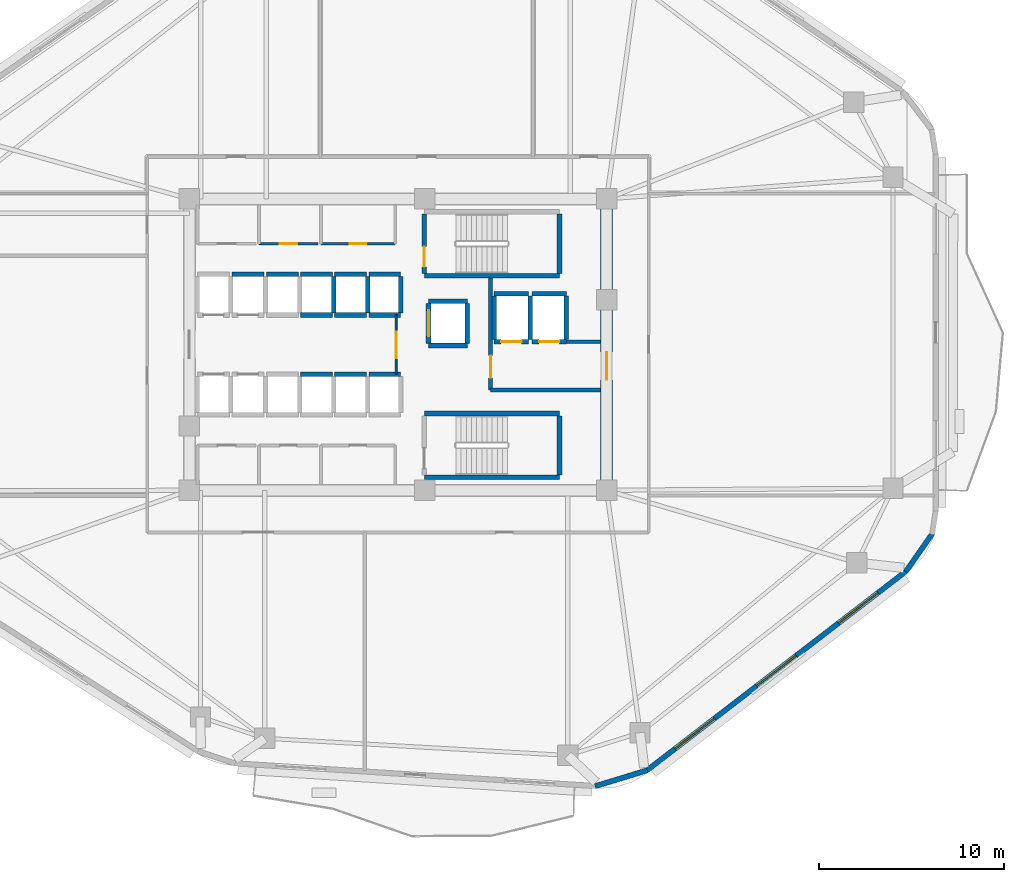
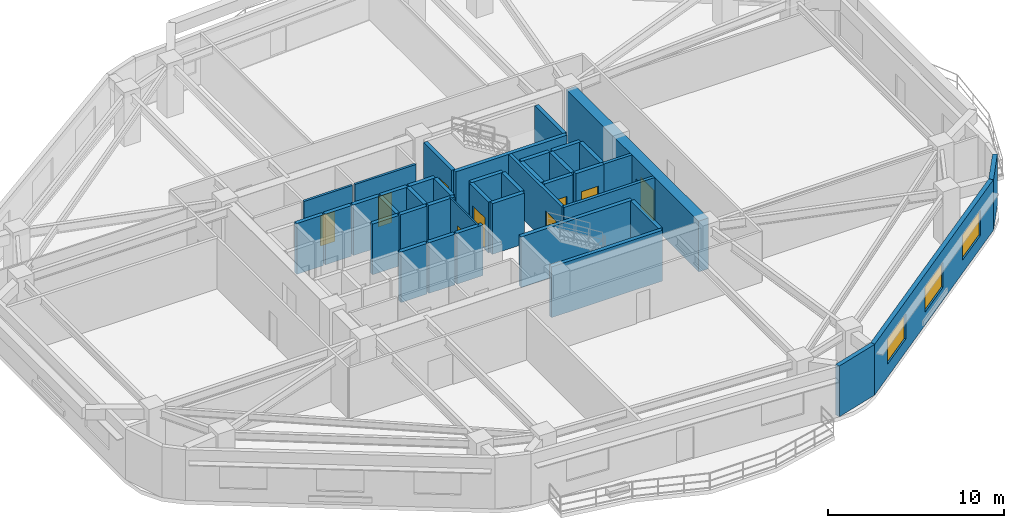
# One storey, part 4 of 9: 41 walls, 9 doors, 3 windows, 12 openings.
"""IFC4 building model written with IfcOpenShell, lengths in metres."""

from ifc_helpers import new_model, si_unit, direction, frame, frame_2d, origin, place, context, subcontext, project, spatial, rectangle, extrude, material, layer, layer_set, type_object, element, fill, save


model = new_model("IFC4")

# Units and contexts
model_context = context("Model", 3, precision=1e-05, world=origin(), true_north=direction((0.0, 1.0)))
body_context = subcontext(model_context, "Body", "Model", "MODEL_VIEW")
ifc_project = project(units=[si_unit("LENGTHUNIT", "METRE"), si_unit("AREAUNIT", "SQUARE_METRE"), si_unit("VOLUMEUNIT", "CUBIC_METRE"), si_unit("PLANEANGLEUNIT", "RADIAN"), si_unit("MASSUNIT", "GRAM", prefix="KILO")], contexts=[model_context])

# Site, building, storey
site_placement = place(None, origin())
site = spatial("IfcSite", under=ifc_project, at=site_placement, CompositionType="ELEMENT")
building_placement = place(site_placement, origin())
building = spatial("IfcBuilding", under=site, at=building_placement, Name="Zulverin Broadcast Headquarters", CompositionType="ELEMENT")
storey_placement = place(building_placement, frame((0.0, 0.0, 112.39990234375)))
storey = spatial("IfcBuildingStorey", under=building, at=storey_placement, Name="L28", CompositionType="ELEMENT", Elevation=112.39990234375)

# Wall, opening, door
ifc_material_1 = material(Name="Concrete C60/75", Category="concrete")
ifc_layer_1 = layer(ifc_material_1, 0.64990234375, Name="Concrete C60/75", Category="concrete")
ifc_layer_set_1 = layer_set([ifc_layer_1], Name="Concrete C60/75")
wall_type_1 = type_object("IfcWallType", Name="WL-CORE-650", PredefinedType="SHEAR", material=ifc_layer_set_1)
wall_1_placement = place(storey_placement, frame((48.27490234375, 17.64990234375, 0.0), z_axis=(0.0, 0.0, 1.0), x_axis=(0.0, 1.0, 0.0)))
wall_1 = element("IfcWall", 1, at=wall_1_placement, inside=storey, type_object=wall_type_1, Name="L28 Core East Shear Wall", PredefinedType="SHEAR", context=body_context, shape_type="SweptSolid", body=[
    extrude(rectangle(XDim=15.10009765625, YDim=0.64990234375, at=frame_2d((7.550048828125, 0.0))), origin(), (0.0, 0.0, 1.0), 3.525146484375),
])
opening_1_placement = place(wall_1_placement, frame((5.64990234375, 0.0, 0.0)))
opening_1 = element("IfcOpeningElement", 2, at=opening_1_placement, cuts=wall_1, Name="Opening D-L28-CE1", PredefinedType="OPENING", context=body_context, shape_type="SweptSolid", body=[
    extrude(rectangle(XDim=1.5, YDim=2.14990234375, at=frame_2d((0.75, 1.074951171875))), frame((0.0, 0.3349609375, 0.0), z_axis=(0.0, -1.0, 0.0), x_axis=(1.0, 0.0, 0.0)), (0.0, 0.0, 1.0), 0.669921875),
])
ifc_material_2 = material(Name="Fire-rated glazed steel frame", Category="steel")
door_type_1 = type_object("IfcDoorType", Name="DR-COR-1500", OperationType="DOUBLE_DOOR_SINGLE_SWING", PredefinedType="DOOR", material=ifc_material_2)
door_1_placement = place(opening_1_placement, origin())
door_1 = element("IfcDoor", 3, at=door_1_placement, inside=storey, type_object=door_type_1, Name="L28 Firefighting Lobby East Corridor Door", OperationType="DOUBLE_DOOR_SINGLE_SWING", OverallHeight=2.14990234375, OverallWidth=1.5, PredefinedType="DOOR", context=body_context, shape_type="SweptSolid", body=[
    extrude(rectangle(XDim=1.5, YDim=2.14990234375, at=frame_2d((0.75, 1.074951171875))), frame((0.0, 0.02490234375, 0.0), z_axis=(0.0, -1.0, 0.0), x_axis=(1.0, 0.0, 0.0)), (0.0, 0.0, 1.0), 0.050048828125),
])
fill(opening_1, door_1)

# Wall, openings, windows
ifc_material_3 = material(Name="Insulated pale-metal clad concrete spandrel C40/50", Category="concrete")
ifc_layer_2 = layer(ifc_material_3, 0.280029296875, Name="Insulated pale-metal clad concrete spandrel C40/50", Category="concrete")
ifc_layer_set_2 = layer_set([ifc_layer_2], Name="Insulated pale-metal clad concrete spandrel C40/50")
wall_type_2 = type_object("IfcWallType", Name="WL-EXT-280", PredefinedType="STANDARD", material=ifc_layer_set_2)
wall_2_placement = place(storey_placement, frame((50.4287109375, 2.171630859375, 0.0), z_axis=(0.0, 0.0, 1.0), x_axis=(0.792937466367, 0.609303023488, 0.0)))
wall_2 = element("IfcWall", 4, at=wall_2_placement, inside=storey, type_object=wall_type_2, Name="L28 Pale-Metal Clad Spandrel Wall 2", PredefinedType="STANDARD", context=body_context, shape_type="SweptSolid", body=[
    extrude(rectangle(XDim=17.712890625, YDim=0.280029296875, at=frame_2d((8.8564453125, 0.0))), origin(), (0.0, 0.0, 1.0), 3.525146484375),
])
opening_2_placement = place(wall_2_placement, frame((1.935546875, 0.0, 0.89990234375)))
opening_2 = element("IfcOpeningElement", 5, at=opening_2_placement, cuts=wall_2, Name="Opening W-L28-E21", PredefinedType="OPENING", context=body_context, shape_type="SweptSolid", body=[
    extrude(rectangle(XDim=2.699951171875, YDim=1.75, at=frame_2d((1.35009765625, 0.875))), frame((0.0, 0.14990234375, 0.0), z_axis=(0.0, -1.0, 0.0), x_axis=(1.0, 0.0, 0.0)), (0.0, 0.0, 1.0), 0.300048828125),
])
opening_3_placement = place(wall_2_placement, frame((7.50634765625, 0.0, 0.89990234375)))
opening_3 = element("IfcOpeningElement", 6, at=opening_3_placement, cuts=wall_2, Name="Opening W-L28-E22", PredefinedType="OPENING", context=body_context, shape_type="SweptSolid", body=[
    extrude(rectangle(XDim=2.699951171875, YDim=1.75, at=frame_2d((1.35009765625, 0.875))), frame((0.0, 0.14990234375, 0.0), z_axis=(0.0, -1.0, 0.0), x_axis=(1.0, 0.0, 0.0)), (0.0, 0.0, 1.0), 0.300048828125),
])
opening_4_placement = place(wall_2_placement, frame((13.077392578125, 0.0, 0.89990234375)))
opening_4 = element("IfcOpeningElement", 7, at=opening_4_placement, cuts=wall_2, Name="Opening W-L28-E23", PredefinedType="OPENING", context=body_context, shape_type="SweptSolid", body=[
    extrude(rectangle(XDim=2.699951171875, YDim=1.75, at=frame_2d((1.35009765625, 0.875))), frame((0.0, 0.14990234375, 0.0), z_axis=(0.0, -1.0, 0.0), x_axis=(1.0, 0.0, 0.0)), (0.0, 0.0, 1.0), 0.300048828125),
])
ifc_material_4 = material(Name="Pale anodized aluminium frame with solar-control low-E double glazing", Category="aluminium")
window_type = type_object("IfcWindowType", Name="WIN-TWR-2700", PartitioningType="SINGLE_PANEL", PredefinedType="WINDOW", material=ifc_material_4)
window_1_placement = place(opening_2_placement, origin())
window_1 = element("IfcWindow", 8, at=window_1_placement, inside=storey, type_object=window_type, Name="L28 Ribbon Glazing Window 2 1", OverallHeight=1.75, OverallWidth=2.699951171875, PartitioningType="SINGLE_PANEL", PredefinedType="WINDOW", context=body_context, shape_type="SweptSolid", body=[
    extrude(rectangle(XDim=2.699951171875, YDim=1.75, at=frame_2d((1.35009765625, 0.875))), frame((0.0, 0.030029296875, 0.0), z_axis=(0.0, -1.0, 0.0), x_axis=(1.0, 0.0, 0.0)), (0.0, 0.0, 1.0), 0.06005859375),
])
fill(opening_2, window_1)
window_2_placement = place(opening_3_placement, origin())
window_2 = element("IfcWindow", 9, at=window_2_placement, inside=storey, type_object=window_type, Name="L28 Ribbon Glazing Window 2 2", OverallHeight=1.75, OverallWidth=2.699951171875, PartitioningType="SINGLE_PANEL", PredefinedType="WINDOW", context=body_context, shape_type="SweptSolid", body=[
    extrude(rectangle(XDim=2.699951171875, YDim=1.75, at=frame_2d((1.35009765625, 0.875))), frame((0.0, 0.030029296875, 0.0), z_axis=(0.0, -1.0, 0.0), x_axis=(1.0, 0.0, 0.0)), (0.0, 0.0, 1.0), 0.06005859375),
])
fill(opening_3, window_2)
window_3_placement = place(opening_4_placement, origin())
window_3 = element("IfcWindow", 10, at=window_3_placement, inside=storey, type_object=window_type, Name="L28 Ribbon Glazing Window 2 3", OverallHeight=1.75, OverallWidth=2.699951171875, PartitioningType="SINGLE_PANEL", PredefinedType="WINDOW", context=body_context, shape_type="SweptSolid", body=[
    extrude(rectangle(XDim=2.699951171875, YDim=1.75, at=frame_2d((1.35009765625, 0.875))), frame((0.0, 0.030029296875, 0.0), z_axis=(0.0, -1.0, 0.0), x_axis=(1.0, 0.0, 0.0)), (0.0, 0.0, 1.0), 0.06005859375),
])
fill(opening_4, window_3)

# Walls
wall_3_placement = place(storey_placement, frame((47.649658203125, 1.3330078125, 0.0), z_axis=(0.0, 0.0, 1.0), x_axis=(0.956461287977, 0.291859220516, 0.0)))
element("IfcWall", 11, at=wall_3_placement, inside=storey, type_object=wall_type_2, Name="L28 Wind-Shaped Corner Spandrel Wall 1-1", PredefinedType="STANDARD", context=body_context, shape_type="SweptSolid", body=[
    extrude(rectangle(XDim=2.951904296875, YDim=0.280029296875, at=frame_2d((1.47607421875, 0.0))), origin(), (0.0, 0.0, 1.0), 3.525146484375),
])
wall_4_placement = place(storey_placement, frame((64.4443359375, 12.933349609375, 0.0), z_axis=(0.0, 0.0, 1.0), x_axis=(0.573176686443, 0.819431806875, 0.0)))
element("IfcWall", 12, at=wall_4_placement, inside=storey, type_object=wall_type_2, Name="L28 Wind-Shaped Corner Spandrel Wall 2-1", PredefinedType="STANDARD", context=body_context, shape_type="SweptSolid", body=[
    extrude(rectangle(XDim=2.524169921875, YDim=0.280029296875, at=frame_2d((1.26220703125, 0.0))), origin(), (0.0, 0.0, 1.0), 3.525146484375),
])

# Wall, opening, door
ifc_material_5 = material(Name="Concrete C40/50", Category="concrete")
ifc_layer_3 = layer(ifc_material_5, 0.199951171875, Name="Concrete C40/50", Category="concrete")
ifc_layer_set_3 = layer_set([ifc_layer_3], Name="Concrete C40/50")
wall_type_3 = type_object("IfcWallType", Name="WL-FFL-200", PredefinedType="SOLIDWALL", material=ifc_layer_set_3)
wall_5_placement = place(storey_placement, frame((42.0, 22.75, 0.0), z_axis=(0.0, 0.0, 1.0), x_axis=(0.0, 1.0, 0.0)))
wall_5 = element("IfcWall", 13, at=wall_5_placement, inside=storey, type_object=wall_type_3, Name="L28 Firefighting Lift Lobby West Wall", PredefinedType="SOLIDWALL", context=body_context, shape_type="SweptSolid", body=[
    extrude(rectangle(XDim=6.050048828125, YDim=0.199951171875, at=frame_2d((3.02490234375, 0.0))), origin(), (0.0, 0.0, 1.0), 3.525146484375),
])
opening_5_placement = place(wall_5_placement, frame((0.64990234375, 0.0, 0.0)))
opening_5 = element("IfcOpeningElement", 14, at=opening_5_placement, cuts=wall_5, Name="Opening D-L28-FFLW", PredefinedType="OPENING", context=body_context, shape_type="SweptSolid", body=[
    extrude(rectangle(XDim=1.199951171875, YDim=2.14990234375, at=frame_2d((0.60009765625, 1.074951171875))), frame((0.0, 0.10986328125, 0.0), z_axis=(0.0, -1.0, 0.0), x_axis=(1.0, 0.0, 0.0)), (0.0, 0.0, 1.0), 0.219970703125),
])
ifc_material_6 = material(Name="Fire-rated steel leaf and frame", Category="steel")
door_type_2 = type_object("IfcDoorType", Name="DR-FFL-1200", OperationType="SINGLE_SWING_RIGHT", PredefinedType="DOOR", material=ifc_material_6)
door_2_placement = place(opening_5_placement, origin())
door_2 = element("IfcDoor", 15, at=door_2_placement, inside=storey, type_object=door_type_2, Name="L28 Firefighting Lift Lobby Door", OperationType="SINGLE_SWING_RIGHT", OverallHeight=2.14990234375, OverallWidth=1.199951171875, PredefinedType="DOOR", context=body_context, shape_type="SweptSolid", body=[
    extrude(rectangle(XDim=1.199951171875, YDim=2.14990234375, at=frame_2d((0.60009765625, 1.074951171875))), frame((0.0, 0.02490234375, 0.0), z_axis=(0.0, -1.0, 0.0), x_axis=(1.0, 0.0, 0.0)), (0.0, 0.0, 1.0), 0.050048828125),
])
fill(opening_5, door_2)

# Walls
wall_6_placement = place(storey_placement, frame((42.0, 22.75, 0.0), z_axis=(0.0, 0.0, 1.0), x_axis=(1.0, 0.0, 0.0)))
element("IfcWall", 16, at=wall_6_placement, inside=storey, type_object=wall_type_3, Name="L28 Firefighting Lift Lobby South Wall", PredefinedType="SOLIDWALL", context=body_context, shape_type="SweptSolid", body=[
    extrude(rectangle(XDim=5.949951171875, YDim=0.199951171875, at=frame_2d((2.97509765625, 0.0))), origin(), (0.0, 0.0, 1.0), 3.525146484375),
])
wall_7_placement = place(storey_placement, frame((46.10009765625, 25.35009765625, 0.0), z_axis=(0.0, 0.0, 1.0), x_axis=(1.0, 0.0, 0.0)))
element("IfcWall", 17, at=wall_7_placement, inside=storey, type_object=wall_type_3, Name="L28 Firefighting Lift Lobby North Wall", PredefinedType="SOLIDWALL", context=body_context, shape_type="SweptSolid", body=[
    extrude(rectangle(XDim=1.849853515625, YDim=0.199951171875, at=frame_2d((0.9248046875, 0.0))), origin(), (0.0, 0.0, 1.0), 3.525146484375),
])

# Wall, opening, door
ifc_material_7 = material(Name="Fire-rated acoustic laminated glass screen", Category="glass")
ifc_layer_4 = layer(ifc_material_7, 0.10009765625, Name="Fire-rated acoustic laminated glass screen", Category="glass")
ifc_layer_set_4 = layer_set([ifc_layer_4], Name="Fire-rated acoustic laminated glass screen")
wall_type_4 = type_object("IfcWallType", Name="WL-GLAZ-100", PredefinedType="PARTITIONING", material=ifc_layer_set_4)
wall_8_placement = place(storey_placement, frame((36.89990234375, 23.60009765625, 0.0), z_axis=(0.0, 0.0, 1.0), x_axis=(0.0, 1.0, 0.0)))
wall_8 = element("IfcWall", 18, at=wall_8_placement, inside=storey, type_object=wall_type_4, Name="L28 Core Goods & Stair Hall Screen", PredefinedType="PARTITIONING", context=body_context, shape_type="SweptSolid", body=[
    extrude(rectangle(XDim=3.199951171875, YDim=0.10009765625, at=frame_2d((1.60009765625, 0.0))), origin(), (0.0, 0.0, 1.0), 3.525146484375),
])
opening_6_placement = place(wall_8_placement, frame((0.85009765625, 0.0, 0.0)))
opening_6 = element("IfcOpeningElement", 19, at=opening_6_placement, cuts=wall_8, Name="Opening D-L28-CL3", PredefinedType="OPENING", context=body_context, shape_type="SweptSolid", body=[
    extrude(rectangle(XDim=1.449951171875, YDim=2.1201171875, at=frame_2d((0.72509765625, 1.06005859375))), frame((0.0, 0.06005859375, 0.0), z_axis=(0.0, -1.0, 0.0), x_axis=(1.0, 0.0, 0.0)), (0.0, 0.0, 1.0), 0.1201171875),
])
ifc_material_8 = material(Name="Fire-rated acoustic glazed double leaf", Category="glass")
door_type_3 = type_object("IfcDoorType", Name="DR-GLZ-1450", OperationType="DOUBLE_DOOR_SINGLE_SWING", PredefinedType="DOOR", material=ifc_material_8)
door_3_placement = place(opening_6_placement, origin())
door_3 = element("IfcDoor", 20, at=door_3_placement, inside=storey, type_object=door_type_3, Name="L28 Core Goods & Stair Hall Door", OperationType="DOUBLE_DOOR_SINGLE_SWING", OverallHeight=2.1201171875, OverallWidth=1.449951171875, PredefinedType="DOOR", context=body_context, shape_type="SweptSolid", body=[
    extrude(rectangle(XDim=1.449951171875, YDim=2.1201171875, at=frame_2d((0.72509765625, 1.06005859375))), frame((0.0, 0.02490234375, 0.0), z_axis=(0.0, -1.0, 0.0), x_axis=(1.0, 0.0, 0.0)), (0.0, 0.0, 1.0), 0.050048828125),
])
fill(opening_6, door_3)

ifc_material_9 = material(Name="Fire-rated gypsum stud partition", Category="gypsum")
ifc_layer_5 = layer(ifc_material_9, 0.14990234375, Name="Fire-rated gypsum stud partition", Category="gypsum")
ifc_layer_set_5 = layer_set([ifc_layer_5], Name="Fire-rated gypsum stud partition")
wall_type_5 = type_object("IfcWallType", Name="WL-PART-150", PredefinedType="PARTITIONING", material=ifc_layer_set_5)
wall_9_placement = place(storey_placement, frame((29.47998046875, 30.64990234375, 0.0), z_axis=(0.0, 0.0, 1.0), x_axis=(1.0, 0.0, 0.0)))
wall_9 = element("IfcWall", 21, at=wall_9_placement, inside=storey, type_object=wall_type_5, Name="L28 Core Accessible WC Front Wall", PredefinedType="PARTITIONING", context=body_context, shape_type="SweptSolid", body=[
    extrude(rectangle(XDim=3.18994140625, YDim=0.14990234375, at=frame_2d((1.594970703125, 0.0))), origin(), (0.0, 0.0, 1.0), 3.525146484375),
])
opening_7_placement = place(wall_9_placement, frame((1.1201171875, 0.0, 0.0)))
opening_7 = element("IfcOpeningElement", 22, at=opening_7_placement, cuts=wall_9, Name="Opening D-L28-NC2", PredefinedType="OPENING", context=body_context, shape_type="SweptSolid", body=[
    extrude(rectangle(XDim=0.949951171875, YDim=2.10009765625, at=frame_2d((0.47509765625, 1.050048828125))), frame((0.0, 0.0849609375, 0.0), z_axis=(0.0, -1.0, 0.0), x_axis=(1.0, 0.0, 0.0)), (0.0, 0.0, 1.0), 0.169921875),
])
ifc_material_10 = material(Name="Fire-rated moisture-resistant laminate leaf", Category="wood")
door_type_4 = type_object("IfcDoorType", Name="DR-WC-950", OperationType="SINGLE_SWING_LEFT", PredefinedType="DOOR", material=ifc_material_10)
door_4_placement = place(opening_7_placement, origin())
door_4 = element("IfcDoor", 23, at=door_4_placement, inside=storey, type_object=door_type_4, Name="L28 Accessible WC Door", OperationType="SINGLE_SWING_RIGHT", OverallHeight=2.10009765625, OverallWidth=0.949951171875, PredefinedType="DOOR", context=body_context, shape_type="SweptSolid", body=[
    extrude(rectangle(XDim=0.949951171875, YDim=2.10009765625, at=frame_2d((0.47509765625, 1.050048828125))), frame((0.0, 0.02490234375, 0.0), z_axis=(0.0, -1.0, 0.0), x_axis=(1.0, 0.0, 0.0)), (0.0, 0.0, 1.0), 0.050048828125),
])
fill(opening_7, door_4)

wall_10_placement = place(storey_placement, frame((32.830078125, 30.64990234375, 0.0), z_axis=(0.0, 0.0, 1.0), x_axis=(1.0, 0.0, 0.0)))
wall_10 = element("IfcWall", 24, at=wall_10_placement, inside=storey, type_object=wall_type_5, Name="L28 Core Electrical Distribution Riser Front Wall", PredefinedType="PARTITIONING", context=body_context, shape_type="SweptSolid", body=[
    extrude(rectangle(XDim=4.02001953125, YDim=0.14990234375, at=frame_2d((2.010009765625, 0.0))), origin(), (0.0, 0.0, 1.0), 3.525146484375),
])
opening_8_placement = place(wall_10_placement, frame((1.56005859375, 0.0, 0.0)))
opening_8 = element("IfcOpeningElement", 25, at=opening_8_placement, cuts=wall_10, Name="Opening D-L28-NC3", PredefinedType="OPENING", context=body_context, shape_type="SweptSolid", body=[
    extrude(rectangle(XDim=0.89990234375, YDim=2.10009765625, at=frame_2d((0.449951171875, 1.050048828125))), frame((0.0, 0.0849609375, 0.0), z_axis=(0.0, -1.0, 0.0), x_axis=(1.0, 0.0, 0.0)), (0.0, 0.0, 1.0), 0.169921875),
])
ifc_material_11 = material(Name="Powder-coated steel access leaf", Category="steel")
door_type_5 = type_object("IfcDoorType", Name="DR-RISER-900", OperationType="SINGLE_SWING_LEFT", PredefinedType="DOOR", material=ifc_material_11)
door_5_placement = place(opening_8_placement, origin())
door_5 = element("IfcDoor", 26, at=door_5_placement, inside=storey, type_object=door_type_5, Name="L28 Electrical Distribution Riser Door", OperationType="SINGLE_SWING_LEFT", OverallHeight=2.10009765625, OverallWidth=0.89990234375, PredefinedType="DOOR", context=body_context, shape_type="SweptSolid", body=[
    extrude(rectangle(XDim=0.89990234375, YDim=2.10009765625, at=frame_2d((0.449951171875, 1.050048828125))), frame((0.0, 0.02490234375, 0.0), z_axis=(0.0, -1.0, 0.0), x_axis=(1.0, 0.0, 0.0)), (0.0, 0.0, 1.0), 0.050048828125),
])
fill(opening_8, door_5)

# Wall
ifc_material_12 = material(Name="Concrete C50/60", Category="concrete")
ifc_layer_6 = layer(ifc_material_12, 0.25, Name="Concrete C50/60", Category="concrete")
ifc_layer_set_6 = layer_set([ifc_layer_6], Name="Concrete C50/60")
wall_type_6 = type_object("IfcWallType", Name="WL-SHAFT-250", PredefinedType="SHEAR", material=ifc_layer_set_6)
wall_11_placement = place(storey_placement, frame((38.425048828125, 28.925048828125, 0.0), z_axis=(0.0, 0.0, 1.0), x_axis=(1.0, 0.0, 0.0)))
element("IfcWall", 27, at=wall_11_placement, inside=storey, type_object=wall_type_6, Name="L28 ST-1 Enclosure Wall S", PredefinedType="SHEAR", context=body_context, shape_type="SweptSolid", body=[
    extrude(rectangle(XDim=7.300048828125, YDim=0.25, at=frame_2d((3.64990234375, 0.0))), origin(), (0.0, 0.0, 1.0), 3.525146484375),
])

# Wall, opening, door
wall_12_placement = place(storey_placement, frame((38.425048828125, 29.050048828125, 0.0), z_axis=(0.0, 0.0, 1.0), x_axis=(0.0, 1.0, 0.0)))
wall_12 = element("IfcWall", 28, at=wall_12_placement, inside=storey, type_object=wall_type_6, Name="L28 ST-1 Enclosure Wall W", PredefinedType="SHEAR", context=body_context, shape_type="SweptSolid", body=[
    extrude(rectangle(XDim=3.199951171875, YDim=0.25, at=frame_2d((1.60009765625, 0.0))), origin(), (0.0, 0.0, 1.0), 3.525146484375),
])
opening_9_placement = place(wall_12_placement, frame((0.35009765625, 0.0, 0.0)))
opening_9 = element("IfcOpeningElement", 29, at=opening_9_placement, cuts=wall_12, Name="Opening D-L28-ST-1", PredefinedType="OPENING", context=body_context, shape_type="SweptSolid", body=[
    extrude(rectangle(XDim=1.10009765625, YDim=2.14990234375, at=frame_2d((0.550048828125, 1.074951171875))), frame((0.0, 0.135009765625, 0.0), z_axis=(0.0, -1.0, 0.0), x_axis=(1.0, 0.0, 0.0)), (0.0, 0.0, 1.0), 0.27001953125),
])
door_type_6 = type_object("IfcDoorType", Name="DR-STAIR-1100", OperationType="SINGLE_SWING_LEFT", PredefinedType="DOOR", material=ifc_material_6)
door_6_placement = place(opening_9_placement, origin())
door_6 = element("IfcDoor", 30, at=door_6_placement, inside=storey, type_object=door_type_6, Name="L28 Exit Stair ST-1 Fire Door", OperationType="SINGLE_SWING_LEFT", OverallHeight=2.14990234375, OverallWidth=1.10009765625, PredefinedType="DOOR", context=body_context, shape_type="SweptSolid", body=[
    extrude(rectangle(XDim=1.10009765625, YDim=2.14990234375, at=frame_2d((0.550048828125, 1.074951171875))), frame((0.0, 0.02490234375, 0.0), z_axis=(0.0, -1.0, 0.0), x_axis=(1.0, 0.0, 0.0)), (0.0, 0.0, 1.0), 0.050048828125),
])
fill(opening_9, door_6)

# Walls
wall_13_placement = place(storey_placement, frame((45.72509765625, 29.050048828125, 0.0), z_axis=(0.0, 0.0, 1.0), x_axis=(0.0, 1.0, 0.0)))
element("IfcWall", 31, at=wall_13_placement, inside=storey, type_object=wall_type_6, Name="L28 ST-1 Enclosure Wall E", PredefinedType="SHEAR", context=body_context, shape_type="SweptSolid", body=[
    extrude(rectangle(XDim=3.199951171875, YDim=0.25, at=frame_2d((1.60009765625, 0.0))), origin(), (0.0, 0.0, 1.0), 3.525146484375),
])
for number, where, z_axis, x_axis, name in (
    (32, (38.425048828125, 18.02490234375, 0.0), (0.0, 0.0, 1.0), (1.0, 0.0, 0.0), "L28 ST-2 Enclosure Wall S"),
    (33, (38.425048828125, 21.47509765625, 0.0), (0.0, 0.0, 1.0), (1.0, 0.0, 0.0), "L28 ST-2 Enclosure Wall N"),
):
    element("IfcWall", number, at=place(storey_placement, frame(where, z_axis=z_axis, x_axis=x_axis)), inside=storey, type_object=wall_type_6, Name=name, PredefinedType="SHEAR", context=body_context, shape_type="SweptSolid", body=[
        extrude(rectangle(XDim=7.300048828125, YDim=0.25, at=frame_2d((3.64990234375, 0.0))), origin(), (0.0, 0.0, 1.0), 3.525146484375),
    ])
wall_14_placement = place(storey_placement, frame((45.72509765625, 18.14990234375, 0.0), z_axis=(0.0, 0.0, 1.0), x_axis=(0.0, 1.0, 0.0)))
element("IfcWall", 34, at=wall_14_placement, inside=storey, type_object=wall_type_6, Name="L28 ST-2 Enclosure Wall E", PredefinedType="SHEAR", context=body_context, shape_type="SweptSolid", body=[
    extrude(rectangle(XDim=3.2001953125, YDim=0.25, at=frame_2d((1.60009765625, 0.0))), origin(), (0.0, 0.0, 1.0), 3.525146484375),
])
wall_15_placement = place(storey_placement, frame((28.02001953125, 29.0, 0.0), z_axis=(0.0, 0.0, 1.0), x_axis=(1.0, 0.0, 0.0)))
element("IfcWall", 35, at=wall_15_placement, inside=storey, type_object=wall_type_6, Name="L28 Lift PL-L2 Shaft Wall N", PredefinedType="SHEAR", context=body_context, shape_type="SweptSolid", body=[
    extrude(rectangle(XDim=1.75, YDim=0.25, at=frame_2d((0.875, 0.0))), origin(), (0.0, 0.0, 1.0), 3.525146484375),
])
for number, where, z_axis, x_axis, name in (
    (36, (31.739990234375, 23.60009765625, 0.0), (0.0, 0.0, 1.0), (1.0, 0.0, 0.0), "L28 Lift PL-M2 Shaft Wall N"),
    (37, (33.580078125, 23.60009765625, 0.0), (0.0, 0.0, 1.0), (1.0, 0.0, 0.0), "L28 Lift PL-M3 Shaft Wall N"),
    (38, (35.419921875, 23.60009765625, 0.0), (0.0, 0.0, 1.0), (1.0, 0.0, 0.0), "L28 Lift PL-M4 Shaft Wall N"),
):
    element("IfcWall", number, at=place(storey_placement, frame(where, z_axis=z_axis, x_axis=x_axis)), inside=storey, type_object=wall_type_6, Name=name, PredefinedType="SHEAR", context=body_context, shape_type="SweptSolid", body=[
        extrude(rectangle(XDim=1.719970703125, YDim=0.25, at=frame_2d((0.85986328125, 0.0))), origin(), (0.0, 0.0, 1.0), 3.525146484375),
    ])
wall_16_placement = place(storey_placement, frame((29.89990234375, 29.0, 0.0), z_axis=(0.0, 0.0, 1.0), x_axis=(1.0, 0.0, 0.0)))
element("IfcWall", 39, at=wall_16_placement, inside=storey, type_object=wall_type_6, Name="L28 Lift PL-H1 Shaft Wall N", PredefinedType="SHEAR", context=body_context, shape_type="SweptSolid", body=[
    extrude(rectangle(XDim=1.72021484375, YDim=0.25, at=frame_2d((0.860107421875, 0.0))), origin(), (0.0, 0.0, 1.0), 3.525146484375),
])
for number, where, z_axis, x_axis, name in (
    (40, (31.739990234375, 26.800048828125, 0.0), (0.0, 0.0, 1.0), (1.0, 0.0, 0.0), "L28 Lift PL-H2 Shaft Wall S"),
    (41, (31.739990234375, 29.0, 0.0), (0.0, 0.0, 1.0), (1.0, 0.0, 0.0), "L28 Lift PL-H2 Shaft Wall N"),
):
    element("IfcWall", number, at=place(storey_placement, frame(where, z_axis=z_axis, x_axis=x_axis)), inside=storey, type_object=wall_type_6, Name=name, PredefinedType="SHEAR", context=body_context, shape_type="SweptSolid", body=[
        extrude(rectangle(XDim=1.719970703125, YDim=0.25, at=frame_2d((0.85986328125, 0.0))), origin(), (0.0, 0.0, 1.0), 3.525146484375),
    ])
wall_17_placement = place(storey_placement, frame((33.52001953125, 26.919921875, 0.0), z_axis=(0.0, 0.0, 1.0), x_axis=(0.0, 1.0, 0.0)))
element("IfcWall", 42, at=wall_17_placement, inside=storey, type_object=wall_type_6, Name="L28 Lift PL-H2 Shaft Wall E", PredefinedType="SHEAR", context=body_context, shape_type="SweptSolid", body=[
    extrude(rectangle(XDim=1.9599609375, YDim=0.25, at=frame_2d((0.97998046875, 0.0))), origin(), (0.0, 0.0, 1.0), 3.525146484375),
])
for number, where, z_axis, x_axis, name in (
    (43, (33.580078125, 26.800048828125, 0.0), (0.0, 0.0, 1.0), (1.0, 0.0, 0.0), "L28 Lift PL-H3 Shaft Wall S"),
    (44, (33.580078125, 29.0, 0.0), (0.0, 0.0, 1.0), (1.0, 0.0, 0.0), "L28 Lift PL-H3 Shaft Wall N"),
):
    element("IfcWall", number, at=place(storey_placement, frame(where, z_axis=z_axis, x_axis=x_axis)), inside=storey, type_object=wall_type_6, Name=name, PredefinedType="SHEAR", context=body_context, shape_type="SweptSolid", body=[
        extrude(rectangle(XDim=1.719970703125, YDim=0.25, at=frame_2d((0.85986328125, 0.0))), origin(), (0.0, 0.0, 1.0), 3.525146484375),
    ])
wall_18_placement = place(storey_placement, frame((35.360107421875, 26.919921875, 0.0), z_axis=(0.0, 0.0, 1.0), x_axis=(0.0, 1.0, 0.0)))
element("IfcWall", 45, at=wall_18_placement, inside=storey, type_object=wall_type_6, Name="L28 Lift PL-H3 Shaft Wall E", PredefinedType="SHEAR", context=body_context, shape_type="SweptSolid", body=[
    extrude(rectangle(XDim=1.9599609375, YDim=0.25, at=frame_2d((0.97998046875, 0.0))), origin(), (0.0, 0.0, 1.0), 3.525146484375),
])
for number, where, z_axis, x_axis, name in (
    (46, (35.419921875, 26.800048828125, 0.0), (0.0, 0.0, 1.0), (1.0, 0.0, 0.0), "L28 Lift PL-H4 Shaft Wall S"),
    (47, (35.419921875, 29.0, 0.0), (0.0, 0.0, 1.0), (1.0, 0.0, 0.0), "L28 Lift PL-H4 Shaft Wall N"),
):
    element("IfcWall", number, at=place(storey_placement, frame(where, z_axis=z_axis, x_axis=x_axis)), inside=storey, type_object=wall_type_6, Name=name, PredefinedType="SHEAR", context=body_context, shape_type="SweptSolid", body=[
        extrude(rectangle(XDim=1.719970703125, YDim=0.25, at=frame_2d((0.85986328125, 0.0))), origin(), (0.0, 0.0, 1.0), 3.525146484375),
    ])
wall_19_placement = place(storey_placement, frame((37.139892578125, 26.919921875, 0.0), z_axis=(0.0, 0.0, 1.0), x_axis=(0.0, 1.0, 0.0)))
element("IfcWall", 48, at=wall_19_placement, inside=storey, type_object=wall_type_6, Name="L28 Lift PL-H4 Shaft Wall E", PredefinedType="SHEAR", context=body_context, shape_type="SweptSolid", body=[
    extrude(rectangle(XDim=1.9599609375, YDim=0.25, at=frame_2d((0.97998046875, 0.0))), origin(), (0.0, 0.0, 1.0), 3.525146484375),
])

# Wall, opening, door
wall_20_placement = place(storey_placement, frame((42.199951171875, 25.35009765625, 0.0), z_axis=(0.0, 0.0, 1.0), x_axis=(1.0, 0.0, 0.0)))
wall_20 = element("IfcWall", 49, at=wall_20_placement, inside=storey, type_object=wall_type_6, Name="L28 Lift FFL-1 Shaft Wall S", PredefinedType="SHEAR", context=body_context, shape_type="SweptSolid", body=[
    extrude(rectangle(XDim=1.85009765625, YDim=0.25, at=frame_2d((0.925048828125, 0.0))), origin(), (0.0, 0.0, 1.0), 3.525146484375),
])
opening_10_placement = place(wall_20_placement, frame((0.375, 0.0, 0.0)))
opening_10 = element("IfcOpeningElement", 50, at=opening_10_placement, cuts=wall_20, Name="Opening LD-FFL-1-L28", PredefinedType="OPENING", context=body_context, shape_type="SweptSolid", body=[
    extrude(rectangle(XDim=1.10009765625, YDim=2.14990234375, at=frame_2d((0.550048828125, 1.074951171875))), frame((0.0, 0.135009765625, 0.0), z_axis=(0.0, -1.0, 0.0), x_axis=(1.0, 0.0, 0.0)), (0.0, 0.0, 1.0), 0.27001953125),
])
ifc_material_13 = material(Name="Fire-rated stainless landing door", Category="steel")
door_type_7 = type_object("IfcDoorType", Name="LD-FFL-1100", OperationType="DOUBLE_DOOR_SLIDING", PredefinedType="DOOR", material=ifc_material_13)
door_7_placement = place(opening_10_placement, origin())
door_7 = element("IfcDoor", 51, at=door_7_placement, inside=storey, type_object=door_type_7, Name="L28 Lift FFL-1 Sliding Landing Door", OperationType="DOUBLE_DOOR_SLIDING", OverallHeight=2.14990234375, OverallWidth=1.10009765625, PredefinedType="DOOR", context=body_context, shape_type="SweptSolid", body=[
    extrude(rectangle(XDim=1.10009765625, YDim=2.14990234375, at=frame_2d((0.550048828125, 1.074951171875))), frame((0.0, 0.02490234375, 0.0), z_axis=(0.0, -1.0, 0.0), x_axis=(1.0, 0.0, 0.0)), (0.0, 0.0, 1.0), 0.050048828125),
])
fill(opening_10, door_7)

# Walls
wall_21_placement = place(storey_placement, frame((42.199951171875, 27.949951171875, 0.0), z_axis=(0.0, 0.0, 1.0), x_axis=(1.0, 0.0, 0.0)))
element("IfcWall", 52, at=wall_21_placement, inside=storey, type_object=wall_type_6, Name="L28 Lift FFL-1 Shaft Wall N", PredefinedType="SHEAR", context=body_context, shape_type="SweptSolid", body=[
    extrude(rectangle(XDim=1.85009765625, YDim=0.25, at=frame_2d((0.925048828125, 0.0))), origin(), (0.0, 0.0, 1.0), 3.525146484375),
])
for number, where, z_axis, x_axis, name in (
    (53, (42.199951171875, 25.469970703125, 0.0), (0.0, 0.0, 1.0), (0.0, 1.0, 0.0), "L28 Lift FFL-1 Shaft Wall W"),
    (54, (44.14990234375, 25.469970703125, 0.0), (0.0, 0.0, 1.0), (0.0, 1.0, 0.0), "L28 Lift FFL-1 Shaft Wall E"),
):
    element("IfcWall", number, at=place(storey_placement, frame(where, z_axis=z_axis, x_axis=x_axis)), inside=storey, type_object=wall_type_6, Name=name, PredefinedType="SHEAR", context=body_context, shape_type="SweptSolid", body=[
        extrude(rectangle(XDim=2.360107421875, YDim=0.25, at=frame_2d((1.18017578125, 0.0))), origin(), (0.0, 0.0, 1.0), 3.525146484375),
    ])

# Wall, opening, door
wall_22_placement = place(storey_placement, frame((44.25, 25.35009765625, 0.0), z_axis=(0.0, 0.0, 1.0), x_axis=(1.0, 0.0, 0.0)))
wall_22 = element("IfcWall", 55, at=wall_22_placement, inside=storey, type_object=wall_type_6, Name="L28 Lift FFL-2 Shaft Wall S", PredefinedType="SHEAR", context=body_context, shape_type="SweptSolid", body=[
    extrude(rectangle(XDim=1.85009765625, YDim=0.25, at=frame_2d((0.925048828125, 0.0))), origin(), (0.0, 0.0, 1.0), 3.525146484375),
])
opening_11_placement = place(wall_22_placement, frame((0.375, 0.0, 0.0)))
opening_11 = element("IfcOpeningElement", 56, at=opening_11_placement, cuts=wall_22, Name="Opening LD-FFL-2-L28", PredefinedType="OPENING", context=body_context, shape_type="SweptSolid", body=[
    extrude(rectangle(XDim=1.10009765625, YDim=2.14990234375, at=frame_2d((0.550048828125, 1.074951171875))), frame((0.0, 0.135009765625, 0.0), z_axis=(0.0, -1.0, 0.0), x_axis=(1.0, 0.0, 0.0)), (0.0, 0.0, 1.0), 0.27001953125),
])
door_8_placement = place(opening_11_placement, origin())
door_8 = element("IfcDoor", 57, at=door_8_placement, inside=storey, type_object=door_type_7, Name="L28 Lift FFL-2 Sliding Landing Door", OperationType="DOUBLE_DOOR_SLIDING", OverallHeight=2.14990234375, OverallWidth=1.10009765625, PredefinedType="DOOR", context=body_context, shape_type="SweptSolid", body=[
    extrude(rectangle(XDim=1.10009765625, YDim=2.14990234375, at=frame_2d((0.550048828125, 1.074951171875))), frame((0.0, 0.02490234375, 0.0), z_axis=(0.0, -1.0, 0.0), x_axis=(1.0, 0.0, 0.0)), (0.0, 0.0, 1.0), 0.050048828125),
])
fill(opening_11, door_8)

# Walls
wall_23_placement = place(storey_placement, frame((44.25, 27.949951171875, 0.0), z_axis=(0.0, 0.0, 1.0), x_axis=(1.0, 0.0, 0.0)))
element("IfcWall", 58, at=wall_23_placement, inside=storey, type_object=wall_type_6, Name="L28 Lift FFL-2 Shaft Wall N", PredefinedType="SHEAR", context=body_context, shape_type="SweptSolid", body=[
    extrude(rectangle(XDim=1.85009765625, YDim=0.25, at=frame_2d((0.925048828125, 0.0))), origin(), (0.0, 0.0, 1.0), 3.525146484375),
])
wall_24_placement = place(storey_placement, frame((46.10009765625, 25.469970703125, 0.0), z_axis=(0.0, 0.0, 1.0), x_axis=(0.0, 1.0, 0.0)))
element("IfcWall", 59, at=wall_24_placement, inside=storey, type_object=wall_type_6, Name="L28 Lift FFL-2 Shaft Wall E", PredefinedType="SHEAR", context=body_context, shape_type="SweptSolid", body=[
    extrude(rectangle(XDim=2.360107421875, YDim=0.25, at=frame_2d((1.18017578125, 0.0))), origin(), (0.0, 0.0, 1.0), 3.525146484375),
])
for number, where, z_axis, x_axis, name in (
    (60, (38.64990234375, 25.14990234375, 0.0), (0.0, 0.0, 1.0), (1.0, 0.0, 0.0), "L28 Lift SVL-1 Shaft Wall S"),
    (61, (38.64990234375, 27.550048828125, 0.0), (0.0, 0.0, 1.0), (1.0, 0.0, 0.0), "L28 Lift SVL-1 Shaft Wall N"),
):
    element("IfcWall", number, at=place(storey_placement, frame(where, z_axis=z_axis, x_axis=x_axis)), inside=storey, type_object=wall_type_6, Name=name, PredefinedType="SHEAR", context=body_context, shape_type="SweptSolid", body=[
        extrude(rectangle(XDim=2.10009765625, YDim=0.25, at=frame_2d((1.050048828125, 0.0))), origin(), (0.0, 0.0, 1.0), 3.525146484375),
    ])

# Wall, opening, door
wall_25_placement = place(storey_placement, frame((38.64990234375, 25.27001953125, 0.0), z_axis=(0.0, 0.0, 1.0), x_axis=(0.0, 1.0, 0.0)))
wall_25 = element("IfcWall", 62, at=wall_25_placement, inside=storey, type_object=wall_type_6, Name="L28 Lift SVL-1 Shaft Wall W", PredefinedType="SHEAR", context=body_context, shape_type="SweptSolid", body=[
    extrude(rectangle(XDim=2.159912109375, YDim=0.25, at=frame_2d((1.080078125, 0.0))), origin(), (0.0, 0.0, 1.0), 3.525146484375),
])
opening_12_placement = place(wall_25_placement, frame((0.3798828125, 0.0, 0.0)))
opening_12 = element("IfcOpeningElement", 63, at=opening_12_placement, cuts=wall_25, Name="Opening LD-SVL-1-L28", PredefinedType="OPENING", context=body_context, shape_type="SweptSolid", body=[
    extrude(rectangle(XDim=1.39990234375, YDim=2.199951171875, at=frame_2d((0.699951171875, 1.10009765625))), frame((0.0, 0.135009765625, 0.0), z_axis=(0.0, -1.0, 0.0), x_axis=(1.0, 0.0, 0.0)), (0.0, 0.0, 1.0), 0.27001953125),
])
ifc_material_14 = material(Name="Heavy-duty stainless landing door", Category="steel")
door_type_8 = type_object("IfcDoorType", Name="LD-GOODS-1400", OperationType="DOUBLE_DOOR_SLIDING", PredefinedType="DOOR", material=ifc_material_14)
door_9_placement = place(opening_12_placement, origin())
door_9 = element("IfcDoor", 64, at=door_9_placement, inside=storey, type_object=door_type_8, Name="L28 Lift SVL-1 Sliding Landing Door", OperationType="DOUBLE_DOOR_SLIDING", OverallHeight=2.199951171875, OverallWidth=1.39990234375, PredefinedType="DOOR", context=body_context, shape_type="SweptSolid", body=[
    extrude(rectangle(XDim=1.39990234375, YDim=2.199951171875, at=frame_2d((0.699951171875, 1.10009765625))), frame((0.0, 0.02490234375, 0.0), z_axis=(0.0, -1.0, 0.0), x_axis=(1.0, 0.0, 0.0)), (0.0, 0.0, 1.0), 0.050048828125),
])
fill(opening_12, door_9)

# Wall
wall_26_placement = place(storey_placement, frame((40.75, 25.27001953125, 0.0), z_axis=(0.0, 0.0, 1.0), x_axis=(0.0, 1.0, 0.0)))
element("IfcWall", 65, at=wall_26_placement, inside=storey, type_object=wall_type_6, Name="L28 Lift SVL-1 Shaft Wall E", PredefinedType="SHEAR", context=body_context, shape_type="SweptSolid", body=[
    extrude(rectangle(XDim=2.159912109375, YDim=0.25, at=frame_2d((1.080078125, 0.0))), origin(), (0.0, 0.0, 1.0), 3.525146484375),
])

save(model, "model.ifc")
